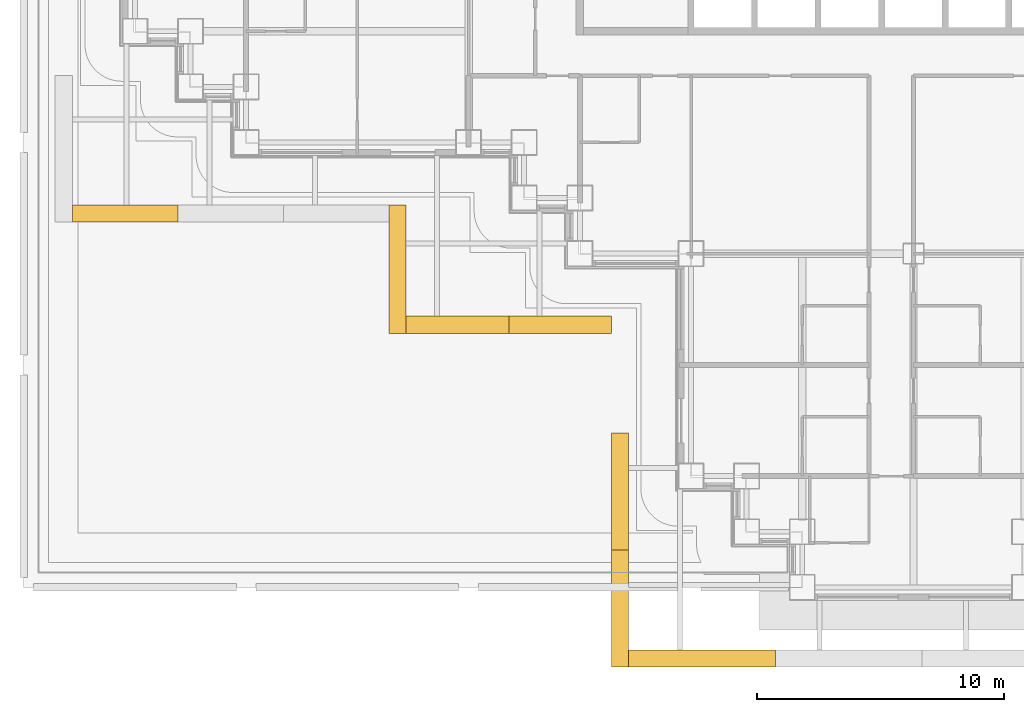
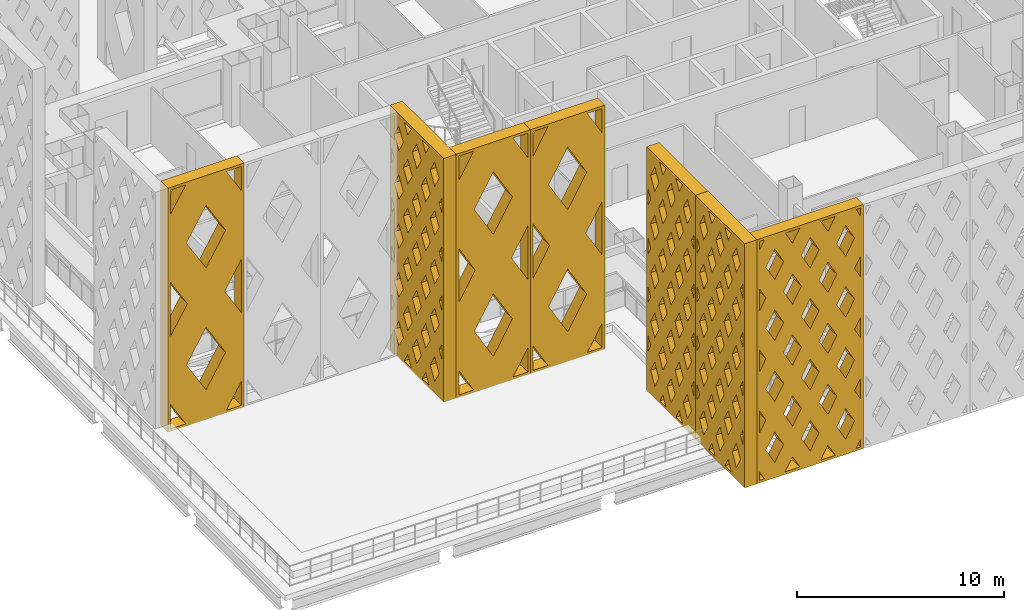
# One storey, part 14 of 26: 7 shading devices.
"""IFC4 building model written with IfcOpenShell, lengths in metres."""

from ifc_helpers import new_model, si_unit, direction, frame, origin, place, context, subcontext, project, spatial, polyline, outline, extrude, material, type_object, element, save


model = new_model("IFC4")

# Units and contexts
model_context = context("Model", 3, precision=1e-05, world=origin(), true_north=direction((0.0, 1.0)))
body_context = subcontext(model_context, "Body", "Model", "MODEL_VIEW")
ifc_project = project(units=[si_unit("LENGTHUNIT", "METRE"), si_unit("AREAUNIT", "SQUARE_METRE"), si_unit("VOLUMEUNIT", "CUBIC_METRE"), si_unit("PLANEANGLEUNIT", "RADIAN"), si_unit("MASSUNIT", "GRAM", prefix="KILO")], contexts=[model_context])

# Site, building, storey
site_placement = place(None, origin())
site = spatial("IfcSite", under=ifc_project, at=site_placement, CompositionType="ELEMENT")
building_placement = place(site_placement, origin())
building = spatial("IfcBuilding", under=site, at=building_placement, Name="Caravel Reach Hotel and Residences", CompositionType="ELEMENT")
storey_placement = place(building_placement, frame((0.0, 0.0, 33.60009765625)))
storey = spatial("IfcBuildingStorey", under=building, at=storey_placement, Name="L06", CompositionType="ELEMENT", Elevation=33.60009765625)

# Shading devices
ifc_material_1 = material(Name="Black powder-coated aluminium", Category="aluminium")
shading_device_type_1 = type_object("IfcShadingDeviceType", Name="Diamond lattice screen panel 4150 x 14400", PredefinedType="USERDEFINED", material=ifc_material_1)
for number, where, z_axis, x_axis, name in (
    (1, (10.97509765625, 10.97509765625, 0.0), (0.0, -1.0, 0.0), (1.0, 0.0, 0.0), "Lattice screen L06-L09 20.1"),
    (2, (15.125, 10.97509765625, 0.0), (0.0, -1.0, 0.0), (1.0, 0.0, 0.0), "Lattice screen L06-L09 20.2"),
):
    element("IfcShadingDevice", number, at=place(storey_placement, frame(where, z_axis=z_axis, x_axis=x_axis)), inside=storey, type_object=shading_device_type_1, Name=name, ObjectType="SCREEN", PredefinedType="USERDEFINED", context=body_context, shape_type="SweptSolid", body=[
        extrude(outline(polyline([(0.0, 0.0), (4.14990234375, 0.0), (4.14990234375, 14.39990234375), (0.0, 14.39990234375), (0.0, 0.0)]), holes=[polyline([(0.97802734375, 0.14990234375), (0.14990234375, 1.586669921875), (0.14990234375, 0.14990234375), (0.97802734375, 0.14990234375)]), polyline([(1.064697265625, 7.199951171875), (0.14990234375, 8.786865234375), (0.14990234375, 5.61328125), (1.064697265625, 7.199951171875)]), polyline([(0.14990234375, 12.813232421875), (0.97802734375, 14.25), (0.14990234375, 14.25), (0.14990234375, 12.813232421875)]), polyline([(2.074951171875, 5.447021484375), (1.010498046875, 3.60009765625), (2.074951171875, 1.7529296875), (3.1396484375, 3.60009765625), (2.074951171875, 5.447021484375)]), polyline([(2.074951171875, 12.64697265625), (1.010498046875, 10.800048828125), (2.074951171875, 8.953125), (3.1396484375, 10.800048828125), (2.074951171875, 12.64697265625)]), polyline([(4.0, 1.586669921875), (3.171875, 0.14990234375), (4.0, 0.14990234375), (4.0, 1.586669921875)]), polyline([(3.08544921875, 7.199951171875), (4.0, 5.61328125), (4.0, 8.786865234375), (3.08544921875, 7.199951171875)]), polyline([(3.171875, 14.25), (4.0, 12.813232421875), (4.0, 14.25), (3.171875, 14.25)])]), origin(), (0.0, 0.0, 1.0), 0.7001953125),
    ])
ifc_material_2 = material(Name="Black powder-coated aluminium", Category="aluminium")
shading_device_type_2 = type_object("IfcShadingDeviceType", Name="Diamond lattice screen panel 4267 x 14400", PredefinedType="USERDEFINED", material=ifc_material_2)
shading_device_1_placement = place(storey_placement, frame((-2.52490234375, 15.47509765625, 0.0), z_axis=(0.0, -1.0, 0.0), x_axis=(1.0, 0.0, 0.0)))
element("IfcShadingDevice", 3, at=shading_device_1_placement, inside=storey, type_object=shading_device_type_2, Name="Lattice screen L06-L09 18.1", ObjectType="SCREEN", PredefinedType="USERDEFINED", context=body_context, shape_type="SweptSolid", body=[
    extrude(outline(polyline([(0.0, 0.0), (4.2666015625, 0.0), (4.2666015625, 14.39990234375), (0.0, 14.39990234375), (0.0, 0.0)]), holes=[polyline([(1.003662109375, 0.14990234375), (0.14990234375, 1.590576171875), (0.14990234375, 0.14990234375), (1.003662109375, 0.14990234375)]), polyline([(1.092529296875, 7.199951171875), (0.14990234375, 8.790771484375), (0.14990234375, 5.609375), (1.092529296875, 7.199951171875)]), polyline([(0.14990234375, 12.809326171875), (1.003662109375, 14.25), (0.14990234375, 14.25), (0.14990234375, 12.809326171875)]), polyline([(2.13330078125, 5.44384765625), (1.040771484375, 3.60009765625), (2.13330078125, 1.756103515625), (3.225830078125, 3.60009765625), (2.13330078125, 5.44384765625)]), polyline([(2.13330078125, 12.643798828125), (1.040771484375, 10.800048828125), (2.13330078125, 8.956298828125), (3.225830078125, 10.800048828125), (2.13330078125, 12.643798828125)]), polyline([(4.11669921875, 1.590576171875), (3.262939453125, 0.14990234375), (4.11669921875, 0.14990234375), (4.11669921875, 1.590576171875)]), polyline([(3.174072265625, 7.199951171875), (4.11669921875, 5.609375), (4.11669921875, 8.790771484375), (3.174072265625, 7.199951171875)]), polyline([(3.262939453125, 14.25), (4.11669921875, 12.809326171875), (4.11669921875, 14.25), (3.262939453125, 14.25)])]), origin(), (0.0, 0.0, 1.0), 0.7001953125),
])
ifc_material_3 = material(Name="Black powder-coated aluminium", Category="aluminium")
shading_device_type_3 = type_object("IfcShadingDeviceType", Name="Diamond lattice screen panel 4733 x 14400", PredefinedType="USERDEFINED", material=ifc_material_3)
shading_device_2_placement = place(storey_placement, frame((19.97509765625, 6.24169921875, 0.0), z_axis=(-1.0, 0.0, 0.0), x_axis=(0.0, -1.0, 0.0)))
element("IfcShadingDevice", 4, at=shading_device_2_placement, inside=storey, type_object=shading_device_type_3, Name="Lattice screen L06-L09 1.2", ObjectType="SCREEN", PredefinedType="USERDEFINED", context=body_context, shape_type="SweptSolid", body=[
    extrude(outline(polyline([(0.0, 0.0), (4.7333984375, 0.0), (4.7333984375, 14.39990234375), (0.0, 14.39990234375), (0.0, 0.0)]), holes=[polyline([(0.39892578125, 2.8798828125), (0.14990234375, 3.334228515625), (0.14990234375, 2.42578125), (0.39892578125, 2.8798828125)]), polyline([(0.39892578125, 5.760009765625), (0.14990234375, 6.21435546875), (0.14990234375, 5.3056640625), (0.39892578125, 5.760009765625)]), polyline([(0.39892578125, 8.639892578125), (0.14990234375, 9.09423828125), (0.14990234375, 8.185791015625), (0.39892578125, 8.639892578125)]), polyline([(0.39892578125, 11.52001953125), (0.14990234375, 11.974365234375), (0.14990234375, 11.065673828125), (0.39892578125, 11.52001953125)]), polyline([(0.788818359375, 2.16796875), (0.39013671875, 1.43994140625), (0.788818359375, 0.7119140625), (1.187744140625, 1.43994140625), (0.788818359375, 2.16796875)]), polyline([(0.788818359375, 5.048095703125), (0.39013671875, 4.320068359375), (0.788818359375, 3.592041015625), (1.187744140625, 4.320068359375), (0.788818359375, 5.048095703125)]), polyline([(0.788818359375, 7.927978515625), (0.39013671875, 7.199951171875), (0.788818359375, 6.471923828125), (1.187744140625, 7.199951171875), (0.788818359375, 7.927978515625)]), polyline([(0.788818359375, 10.80810546875), (0.39013671875, 10.080078125), (0.788818359375, 9.35205078125), (1.187744140625, 10.080078125), (0.788818359375, 10.80810546875)]), polyline([(0.788818359375, 13.68798828125), (0.39013671875, 12.9599609375), (0.788818359375, 12.23193359375), (1.187744140625, 12.9599609375), (0.788818359375, 13.68798828125)]), polyline([(1.577880859375, 0.72802734375), (1.260986328125, 0.14990234375), (1.89453125, 0.14990234375), (1.577880859375, 0.72802734375)]), polyline([(1.577880859375, 3.608154296875), (1.178955078125, 2.8798828125), (1.577880859375, 2.15185546875), (1.9765625, 2.8798828125), (1.577880859375, 3.608154296875)]), polyline([(1.577880859375, 6.488037109375), (1.178955078125, 5.760009765625), (1.577880859375, 5.031982421875), (1.9765625, 5.760009765625), (1.577880859375, 6.488037109375)]), polyline([(1.577880859375, 9.3681640625), (1.178955078125, 8.639892578125), (1.577880859375, 7.911865234375), (1.9765625, 8.639892578125), (1.577880859375, 9.3681640625)]), polyline([(1.577880859375, 12.248046875), (1.178955078125, 11.52001953125), (1.577880859375, 10.7919921875), (1.9765625, 11.52001953125), (1.577880859375, 12.248046875)]), polyline([(1.577880859375, 13.671875), (1.89453125, 14.25), (1.260986328125, 14.25), (1.577880859375, 13.671875)]), polyline([(2.36669921875, 2.16796875), (1.9677734375, 1.43994140625), (2.36669921875, 0.7119140625), (2.765625, 1.43994140625), (2.36669921875, 2.16796875)]), polyline([(2.36669921875, 5.048095703125), (1.9677734375, 4.320068359375), (2.36669921875, 3.592041015625), (2.765625, 4.320068359375), (2.36669921875, 5.048095703125)]), polyline([(2.36669921875, 7.927978515625), (1.9677734375, 7.199951171875), (2.36669921875, 6.471923828125), (2.765625, 7.199951171875), (2.36669921875, 7.927978515625)]), polyline([(2.36669921875, 10.80810546875), (1.9677734375, 10.080078125), (2.36669921875, 9.35205078125), (2.765625, 10.080078125), (2.36669921875, 10.80810546875)]), polyline([(2.36669921875, 13.68798828125), (1.9677734375, 12.9599609375), (2.36669921875, 12.23193359375), (2.765625, 12.9599609375), (2.36669921875, 13.68798828125)]), polyline([(3.155517578125, 0.72802734375), (2.8388671875, 0.14990234375), (3.47216796875, 0.14990234375), (3.155517578125, 0.72802734375)]), polyline([(3.155517578125, 3.608154296875), (2.756591796875, 2.8798828125), (3.155517578125, 2.15185546875), (3.554443359375, 2.8798828125), (3.155517578125, 3.608154296875)]), polyline([(3.155517578125, 6.488037109375), (2.756591796875, 5.760009765625), (3.155517578125, 5.031982421875), (3.554443359375, 5.760009765625), (3.155517578125, 6.488037109375)]), polyline([(3.155517578125, 9.3681640625), (2.756591796875, 8.639892578125), (3.155517578125, 7.911865234375), (3.554443359375, 8.639892578125), (3.155517578125, 9.3681640625)]), polyline([(3.155517578125, 12.248046875), (2.756591796875, 11.52001953125), (3.155517578125, 10.7919921875), (3.554443359375, 11.52001953125), (3.155517578125, 12.248046875)]), polyline([(3.155517578125, 13.671875), (3.47216796875, 14.25), (2.8388671875, 14.25), (3.155517578125, 13.671875)]), polyline([(3.9443359375, 2.16796875), (3.545654296875, 1.43994140625), (3.9443359375, 0.7119140625), (4.34326171875, 1.43994140625), (3.9443359375, 2.16796875)]), polyline([(3.9443359375, 5.048095703125), (3.545654296875, 4.320068359375), (3.9443359375, 3.592041015625), (4.34326171875, 4.320068359375), (3.9443359375, 5.048095703125)]), polyline([(3.9443359375, 7.927978515625), (3.545654296875, 7.199951171875), (3.9443359375, 6.471923828125), (4.34326171875, 7.199951171875), (3.9443359375, 7.927978515625)]), polyline([(3.9443359375, 10.80810546875), (3.545654296875, 10.080078125), (3.9443359375, 9.35205078125), (4.34326171875, 10.080078125), (3.9443359375, 10.80810546875)]), polyline([(3.9443359375, 13.68798828125), (3.545654296875, 12.9599609375), (3.9443359375, 12.23193359375), (4.34326171875, 12.9599609375), (3.9443359375, 13.68798828125)]), polyline([(4.33447265625, 2.8798828125), (4.583251953125, 2.42578125), (4.583251953125, 3.334228515625), (4.33447265625, 2.8798828125)]), polyline([(4.33447265625, 5.760009765625), (4.583251953125, 5.3056640625), (4.583251953125, 6.21435546875), (4.33447265625, 5.760009765625)]), polyline([(4.33447265625, 8.639892578125), (4.583251953125, 8.185791015625), (4.583251953125, 9.09423828125), (4.33447265625, 8.639892578125)]), polyline([(4.33447265625, 11.52001953125), (4.583251953125, 11.065673828125), (4.583251953125, 11.974365234375), (4.33447265625, 11.52001953125)])]), origin(), (0.0, 0.0, 1.0), 0.7001953125),
])
shading_device_3_placement = place(storey_placement, frame((19.97509765625, 1.50830078125, 0.0), z_axis=(-1.0, 0.0, 0.0), x_axis=(0.0, -1.0, 0.0)))
element("IfcShadingDevice", 5, at=shading_device_3_placement, inside=storey, type_object=shading_device_type_3, Name="Lattice screen L06-L09 1.3", ObjectType="SCREEN", PredefinedType="USERDEFINED", context=body_context, shape_type="SweptSolid", body=[
    extrude(outline(polyline([(0.0, 0.0), (4.7333984375, 0.0), (4.7333984375, 14.39990234375), (0.0, 14.39990234375), (0.0, 0.0)]), holes=[polyline([(0.39892578125, 2.8798828125), (0.14990234375, 3.334228515625), (0.14990234375, 2.42578125), (0.39892578125, 2.8798828125)]), polyline([(0.39892578125, 5.760009765625), (0.14990234375, 6.21435546875), (0.14990234375, 5.3056640625), (0.39892578125, 5.760009765625)]), polyline([(0.39892578125, 8.639892578125), (0.14990234375, 9.09423828125), (0.14990234375, 8.185791015625), (0.39892578125, 8.639892578125)]), polyline([(0.39892578125, 11.52001953125), (0.14990234375, 11.974365234375), (0.14990234375, 11.065673828125), (0.39892578125, 11.52001953125)]), polyline([(0.788818359375, 2.16796875), (0.39013671875, 1.43994140625), (0.788818359375, 0.7119140625), (1.187744140625, 1.43994140625), (0.788818359375, 2.16796875)]), polyline([(0.788818359375, 5.048095703125), (0.39013671875, 4.320068359375), (0.788818359375, 3.592041015625), (1.187744140625, 4.320068359375), (0.788818359375, 5.048095703125)]), polyline([(0.788818359375, 7.927978515625), (0.39013671875, 7.199951171875), (0.788818359375, 6.471923828125), (1.187744140625, 7.199951171875), (0.788818359375, 7.927978515625)]), polyline([(0.788818359375, 10.80810546875), (0.39013671875, 10.080078125), (0.788818359375, 9.35205078125), (1.187744140625, 10.080078125), (0.788818359375, 10.80810546875)]), polyline([(0.788818359375, 13.68798828125), (0.39013671875, 12.9599609375), (0.788818359375, 12.23193359375), (1.187744140625, 12.9599609375), (0.788818359375, 13.68798828125)]), polyline([(1.577880859375, 0.72802734375), (1.260986328125, 0.14990234375), (1.89453125, 0.14990234375), (1.577880859375, 0.72802734375)]), polyline([(1.577880859375, 3.608154296875), (1.178955078125, 2.8798828125), (1.577880859375, 2.15185546875), (1.9765625, 2.8798828125), (1.577880859375, 3.608154296875)]), polyline([(1.577880859375, 6.488037109375), (1.178955078125, 5.760009765625), (1.577880859375, 5.031982421875), (1.9765625, 5.760009765625), (1.577880859375, 6.488037109375)]), polyline([(1.577880859375, 9.3681640625), (1.178955078125, 8.639892578125), (1.577880859375, 7.911865234375), (1.9765625, 8.639892578125), (1.577880859375, 9.3681640625)]), polyline([(1.577880859375, 12.248046875), (1.178955078125, 11.52001953125), (1.577880859375, 10.7919921875), (1.9765625, 11.52001953125), (1.577880859375, 12.248046875)]), polyline([(1.577880859375, 13.671875), (1.89453125, 14.25), (1.260986328125, 14.25), (1.577880859375, 13.671875)]), polyline([(2.36669921875, 2.16796875), (1.9677734375, 1.43994140625), (2.36669921875, 0.7119140625), (2.765625, 1.43994140625), (2.36669921875, 2.16796875)]), polyline([(2.36669921875, 5.048095703125), (1.9677734375, 4.320068359375), (2.36669921875, 3.592041015625), (2.765625, 4.320068359375), (2.36669921875, 5.048095703125)]), polyline([(2.36669921875, 7.927978515625), (1.9677734375, 7.199951171875), (2.36669921875, 6.471923828125), (2.765625, 7.199951171875), (2.36669921875, 7.927978515625)]), polyline([(2.36669921875, 10.80810546875), (1.9677734375, 10.080078125), (2.36669921875, 9.35205078125), (2.765625, 10.080078125), (2.36669921875, 10.80810546875)]), polyline([(2.36669921875, 13.68798828125), (1.9677734375, 12.9599609375), (2.36669921875, 12.23193359375), (2.765625, 12.9599609375), (2.36669921875, 13.68798828125)]), polyline([(3.155517578125, 0.72802734375), (2.8388671875, 0.14990234375), (3.47216796875, 0.14990234375), (3.155517578125, 0.72802734375)]), polyline([(3.155517578125, 3.608154296875), (2.756591796875, 2.8798828125), (3.155517578125, 2.15185546875), (3.554443359375, 2.8798828125), (3.155517578125, 3.608154296875)]), polyline([(3.155517578125, 6.488037109375), (2.756591796875, 5.760009765625), (3.155517578125, 5.031982421875), (3.554443359375, 5.760009765625), (3.155517578125, 6.488037109375)]), polyline([(3.155517578125, 9.3681640625), (2.756591796875, 8.639892578125), (3.155517578125, 7.911865234375), (3.554443359375, 8.639892578125), (3.155517578125, 9.3681640625)]), polyline([(3.155517578125, 12.248046875), (2.756591796875, 11.52001953125), (3.155517578125, 10.7919921875), (3.554443359375, 11.52001953125), (3.155517578125, 12.248046875)]), polyline([(3.155517578125, 13.671875), (3.47216796875, 14.25), (2.8388671875, 14.25), (3.155517578125, 13.671875)]), polyline([(3.9443359375, 2.16796875), (3.545654296875, 1.43994140625), (3.9443359375, 0.7119140625), (4.34326171875, 1.43994140625), (3.9443359375, 2.16796875)]), polyline([(3.9443359375, 5.048095703125), (3.545654296875, 4.320068359375), (3.9443359375, 3.592041015625), (4.34326171875, 4.320068359375), (3.9443359375, 5.048095703125)]), polyline([(3.9443359375, 7.927978515625), (3.545654296875, 7.199951171875), (3.9443359375, 6.471923828125), (4.34326171875, 7.199951171875), (3.9443359375, 7.927978515625)]), polyline([(3.9443359375, 10.80810546875), (3.545654296875, 10.080078125), (3.9443359375, 9.35205078125), (4.34326171875, 10.080078125), (3.9443359375, 10.80810546875)]), polyline([(3.9443359375, 13.68798828125), (3.545654296875, 12.9599609375), (3.9443359375, 12.23193359375), (4.34326171875, 12.9599609375), (3.9443359375, 13.68798828125)]), polyline([(4.33447265625, 2.8798828125), (4.583251953125, 2.42578125), (4.583251953125, 3.334228515625), (4.33447265625, 2.8798828125)]), polyline([(4.33447265625, 5.760009765625), (4.583251953125, 5.3056640625), (4.583251953125, 6.21435546875), (4.33447265625, 5.760009765625)]), polyline([(4.33447265625, 8.639892578125), (4.583251953125, 8.185791015625), (4.583251953125, 9.09423828125), (4.33447265625, 8.639892578125)]), polyline([(4.33447265625, 11.52001953125), (4.583251953125, 11.065673828125), (4.583251953125, 11.974365234375), (4.33447265625, 11.52001953125)])]), origin(), (0.0, 0.0, 1.0), 0.7001953125),
])
ifc_material_4 = material(Name="Black powder-coated aluminium", Category="aluminium")
shading_device_type_4 = type_object("IfcShadingDeviceType", Name="Diamond lattice screen panel 5200 x 14400", PredefinedType="USERDEFINED", material=ifc_material_4)
shading_device_4_placement = place(storey_placement, frame((10.97509765625, 15.47509765625, 0.0), z_axis=(-1.0, 0.0, 0.0), x_axis=(0.0, -1.0, 0.0)))
element("IfcShadingDevice", 6, at=shading_device_4_placement, inside=storey, type_object=shading_device_type_4, Name="Lattice screen L06-L09 19.1", ObjectType="SCREEN", PredefinedType="USERDEFINED", context=body_context, shape_type="SweptSolid", body=[
    extrude(outline(polyline([(0.0, 0.0), (5.199951171875, 0.0), (5.199951171875, 14.39990234375), (0.0, 14.39990234375), (0.0, 0.0)]), holes=[polyline([(0.436767578125, 2.8798828125), (0.14990234375, 3.3564453125), (0.14990234375, 2.403564453125), (0.436767578125, 2.8798828125)]), polyline([(0.436767578125, 5.760009765625), (0.14990234375, 6.236572265625), (0.14990234375, 5.283447265625), (0.436767578125, 5.760009765625)]), polyline([(0.436767578125, 8.639892578125), (0.14990234375, 9.116455078125), (0.14990234375, 8.16357421875), (0.436767578125, 8.639892578125)]), polyline([(0.436767578125, 11.52001953125), (0.14990234375, 11.99658203125), (0.14990234375, 11.04345703125), (0.436767578125, 11.52001953125)]), polyline([(0.86669921875, 2.165771484375), (0.429931640625, 1.43994140625), (0.86669921875, 0.71435546875), (1.303466796875, 1.43994140625), (0.86669921875, 2.165771484375)]), polyline([(0.86669921875, 5.045654296875), (0.429931640625, 4.320068359375), (0.86669921875, 3.59423828125), (1.303466796875, 4.320068359375), (0.86669921875, 5.045654296875)]), polyline([(0.86669921875, 7.92578125), (0.429931640625, 7.199951171875), (0.86669921875, 6.474365234375), (1.303466796875, 7.199951171875), (0.86669921875, 7.92578125)]), polyline([(0.86669921875, 10.8056640625), (0.429931640625, 10.080078125), (0.86669921875, 9.354248046875), (1.303466796875, 10.080078125), (0.86669921875, 10.8056640625)]), polyline([(0.86669921875, 13.685791015625), (0.429931640625, 12.9599609375), (0.86669921875, 12.234130859375), (1.303466796875, 12.9599609375), (0.86669921875, 13.685791015625)]), polyline([(1.7333984375, 0.725830078125), (1.38671875, 0.14990234375), (2.079833984375, 0.14990234375), (1.7333984375, 0.725830078125)]), polyline([(1.7333984375, 3.605712890625), (1.296630859375, 2.8798828125), (1.7333984375, 2.154296875), (2.170166015625, 2.8798828125), (1.7333984375, 3.605712890625)]), polyline([(1.7333984375, 6.48583984375), (1.296630859375, 5.760009765625), (1.7333984375, 5.0341796875), (2.170166015625, 5.760009765625), (1.7333984375, 6.48583984375)]), polyline([(1.7333984375, 9.36572265625), (1.296630859375, 8.639892578125), (1.7333984375, 7.914306640625), (2.170166015625, 8.639892578125), (1.7333984375, 9.36572265625)]), polyline([(1.7333984375, 12.245849609375), (1.296630859375, 11.52001953125), (1.7333984375, 10.794189453125), (2.170166015625, 11.52001953125), (1.7333984375, 12.245849609375)]), polyline([(1.7333984375, 13.67431640625), (2.079833984375, 14.25), (1.38671875, 14.25), (1.7333984375, 13.67431640625)]), polyline([(2.60009765625, 2.165771484375), (2.1630859375, 1.43994140625), (2.60009765625, 0.71435546875), (3.036865234375, 1.43994140625), (2.60009765625, 2.165771484375)]), polyline([(2.60009765625, 5.045654296875), (2.1630859375, 4.320068359375), (2.60009765625, 3.59423828125), (3.036865234375, 4.320068359375), (2.60009765625, 5.045654296875)]), polyline([(2.60009765625, 7.92578125), (2.1630859375, 7.199951171875), (2.60009765625, 6.474365234375), (3.036865234375, 7.199951171875), (2.60009765625, 7.92578125)]), polyline([(2.60009765625, 10.8056640625), (2.1630859375, 10.080078125), (2.60009765625, 9.354248046875), (3.036865234375, 10.080078125), (2.60009765625, 10.8056640625)]), polyline([(2.60009765625, 13.685791015625), (2.1630859375, 12.9599609375), (2.60009765625, 12.234130859375), (3.036865234375, 12.9599609375), (2.60009765625, 13.685791015625)]), polyline([(3.466552734375, 0.725830078125), (3.1201171875, 0.14990234375), (3.813232421875, 0.14990234375), (3.466552734375, 0.725830078125)]), polyline([(3.466552734375, 3.605712890625), (3.02978515625, 2.8798828125), (3.466552734375, 2.154296875), (3.903564453125, 2.8798828125), (3.466552734375, 3.605712890625)]), polyline([(3.466552734375, 6.48583984375), (3.02978515625, 5.760009765625), (3.466552734375, 5.0341796875), (3.903564453125, 5.760009765625), (3.466552734375, 6.48583984375)]), polyline([(3.466552734375, 9.36572265625), (3.02978515625, 8.639892578125), (3.466552734375, 7.914306640625), (3.903564453125, 8.639892578125), (3.466552734375, 9.36572265625)]), polyline([(3.466552734375, 12.245849609375), (3.02978515625, 11.52001953125), (3.466552734375, 10.794189453125), (3.903564453125, 11.52001953125), (3.466552734375, 12.245849609375)]), polyline([(3.466552734375, 13.67431640625), (3.813232421875, 14.25), (3.1201171875, 14.25), (3.466552734375, 13.67431640625)]), polyline([(4.333251953125, 2.165771484375), (3.896484375, 1.43994140625), (4.333251953125, 0.71435546875), (4.77001953125, 1.43994140625), (4.333251953125, 2.165771484375)]), polyline([(4.333251953125, 5.045654296875), (3.896484375, 4.320068359375), (4.333251953125, 3.59423828125), (4.77001953125, 4.320068359375), (4.333251953125, 5.045654296875)]), polyline([(4.333251953125, 7.92578125), (3.896484375, 7.199951171875), (4.333251953125, 6.474365234375), (4.77001953125, 7.199951171875), (4.333251953125, 7.92578125)]), polyline([(4.333251953125, 10.8056640625), (3.896484375, 10.080078125), (4.333251953125, 9.354248046875), (4.77001953125, 10.080078125), (4.333251953125, 10.8056640625)]), polyline([(4.333251953125, 13.685791015625), (3.896484375, 12.9599609375), (4.333251953125, 12.234130859375), (4.77001953125, 12.9599609375), (4.333251953125, 13.685791015625)]), polyline([(4.76318359375, 2.8798828125), (5.050048828125, 2.403564453125), (5.050048828125, 3.3564453125), (4.76318359375, 2.8798828125)]), polyline([(4.76318359375, 5.760009765625), (5.050048828125, 5.283447265625), (5.050048828125, 6.236572265625), (4.76318359375, 5.760009765625)]), polyline([(4.76318359375, 8.639892578125), (5.050048828125, 8.16357421875), (5.050048828125, 9.116455078125), (4.76318359375, 8.639892578125)]), polyline([(4.76318359375, 11.52001953125), (5.050048828125, 11.04345703125), (5.050048828125, 11.99658203125), (4.76318359375, 11.52001953125)])]), origin(), (0.0, 0.0, 1.0), 0.7001953125),
])
ifc_material_5 = material(Name="Black powder-coated aluminium", Category="aluminium")
shading_device_type_5 = type_object("IfcShadingDeviceType", Name="Diamond lattice screen panel 5937 x 14400", PredefinedType="USERDEFINED", material=ifc_material_5)
shading_device_5_placement = place(storey_placement, frame((19.97509765625, -2.52490234375, 0.0), z_axis=(0.0, -1.0, 0.0), x_axis=(1.0, 0.0, 0.0)))
element("IfcShadingDevice", 7, at=shading_device_5_placement, inside=storey, type_object=shading_device_type_5, Name="Lattice screen L06-L09 2.1", ObjectType="SCREEN", PredefinedType="USERDEFINED", context=body_context, shape_type="SweptSolid", body=[
    extrude(outline(polyline([(0.0, 0.0), (5.9375, 0.0), (5.9375, 14.39990234375), (0.0, 14.39990234375), (0.0, 0.0)]), holes=[polyline([(0.412353515625, 0.14990234375), (0.14990234375, 0.626953125), (0.14990234375, 0.14990234375), (0.412353515625, 0.14990234375)]), polyline([(0.49462890625, 3.60009765625), (0.14990234375, 4.22705078125), (0.14990234375, 2.972900390625), (0.49462890625, 3.60009765625)]), polyline([(0.49462890625, 7.199951171875), (0.14990234375, 7.826904296875), (0.14990234375, 6.572998046875), (0.49462890625, 7.199951171875)]), polyline([(0.49462890625, 10.800048828125), (0.14990234375, 11.427001953125), (0.14990234375, 10.173095703125), (0.49462890625, 10.800048828125)]), polyline([(0.14990234375, 13.77294921875), (0.412353515625, 14.25), (0.14990234375, 14.25), (0.14990234375, 13.77294921875)]), polyline([(0.989501953125, 2.699951171875), (0.494873046875, 1.800048828125), (0.989501953125, 0.900146484375), (1.484375, 1.800048828125), (0.989501953125, 2.699951171875)]), polyline([(0.989501953125, 6.2998046875), (0.494873046875, 5.39990234375), (0.989501953125, 4.500244140625), (1.484375, 5.39990234375), (0.989501953125, 6.2998046875)]), polyline([(0.989501953125, 9.89990234375), (0.494873046875, 9.0), (0.989501953125, 8.10009765625), (1.484375, 9.0), (0.989501953125, 9.89990234375)]), polyline([(0.989501953125, 13.499755859375), (0.494873046875, 12.60009765625), (0.989501953125, 11.7001953125), (1.484375, 12.60009765625), (0.989501953125, 13.499755859375)]), polyline([(1.979248046875, 0.89990234375), (1.56689453125, 0.14990234375), (2.391357421875, 0.14990234375), (1.979248046875, 0.89990234375)]), polyline([(1.979248046875, 4.499755859375), (1.484375, 3.60009765625), (1.979248046875, 2.7001953125), (2.473876953125, 3.60009765625), (1.979248046875, 4.499755859375)]), polyline([(1.979248046875, 8.099853515625), (1.484375, 7.199951171875), (1.979248046875, 6.300048828125), (2.473876953125, 7.199951171875), (1.979248046875, 8.099853515625)]), polyline([(1.979248046875, 11.699951171875), (1.484375, 10.800048828125), (1.979248046875, 9.900146484375), (2.473876953125, 10.800048828125), (1.979248046875, 11.699951171875)]), polyline([(1.979248046875, 13.500244140625), (2.391357421875, 14.25), (1.56689453125, 14.25), (1.979248046875, 13.500244140625)]), polyline([(2.96875, 2.699951171875), (2.47412109375, 1.800048828125), (2.96875, 0.900146484375), (3.46337890625, 1.800048828125), (2.96875, 2.699951171875)]), polyline([(2.96875, 6.2998046875), (2.47412109375, 5.39990234375), (2.96875, 4.500244140625), (3.46337890625, 5.39990234375), (2.96875, 6.2998046875)]), polyline([(2.96875, 9.89990234375), (2.47412109375, 9.0), (2.96875, 8.10009765625), (3.46337890625, 9.0), (2.96875, 9.89990234375)]), polyline([(2.96875, 13.499755859375), (2.47412109375, 12.60009765625), (2.96875, 11.7001953125), (3.46337890625, 12.60009765625), (2.96875, 13.499755859375)]), polyline([(3.958251953125, 0.89990234375), (3.546142578125, 0.14990234375), (4.37060546875, 0.14990234375), (3.958251953125, 0.89990234375)]), polyline([(3.958251953125, 4.499755859375), (3.463623046875, 3.60009765625), (3.958251953125, 2.7001953125), (4.453125, 3.60009765625), (3.958251953125, 4.499755859375)]), polyline([(3.958251953125, 8.099853515625), (3.463623046875, 7.199951171875), (3.958251953125, 6.300048828125), (4.453125, 7.199951171875), (3.958251953125, 8.099853515625)]), polyline([(3.958251953125, 11.699951171875), (3.463623046875, 10.800048828125), (3.958251953125, 9.900146484375), (4.453125, 10.800048828125), (3.958251953125, 11.699951171875)]), polyline([(3.958251953125, 13.500244140625), (4.37060546875, 14.25), (3.546142578125, 14.25), (3.958251953125, 13.500244140625)]), polyline([(4.947998046875, 2.699951171875), (4.453125, 1.800048828125), (4.947998046875, 0.900146484375), (5.442626953125, 1.800048828125), (4.947998046875, 2.699951171875)]), polyline([(4.947998046875, 6.2998046875), (4.453125, 5.39990234375), (4.947998046875, 4.500244140625), (5.442626953125, 5.39990234375), (4.947998046875, 6.2998046875)]), polyline([(4.947998046875, 9.89990234375), (4.453125, 9.0), (4.947998046875, 8.10009765625), (5.442626953125, 9.0), (4.947998046875, 9.89990234375)]), polyline([(4.947998046875, 13.499755859375), (4.453125, 12.60009765625), (4.947998046875, 11.7001953125), (5.442626953125, 12.60009765625), (4.947998046875, 13.499755859375)]), polyline([(5.78759765625, 0.626953125), (5.525146484375, 0.14990234375), (5.78759765625, 0.14990234375), (5.78759765625, 0.626953125)]), polyline([(5.44287109375, 3.60009765625), (5.78759765625, 2.972900390625), (5.78759765625, 4.22705078125), (5.44287109375, 3.60009765625)]), polyline([(5.44287109375, 7.199951171875), (5.78759765625, 6.572998046875), (5.78759765625, 7.826904296875), (5.44287109375, 7.199951171875)]), polyline([(5.44287109375, 10.800048828125), (5.78759765625, 10.173095703125), (5.78759765625, 11.427001953125), (5.44287109375, 10.800048828125)]), polyline([(5.525146484375, 14.25), (5.78759765625, 13.77294921875), (5.78759765625, 14.25), (5.525146484375, 14.25)])]), origin(), (0.0, 0.0, 1.0), 0.7001953125),
])

save(model, "model.ifc")
